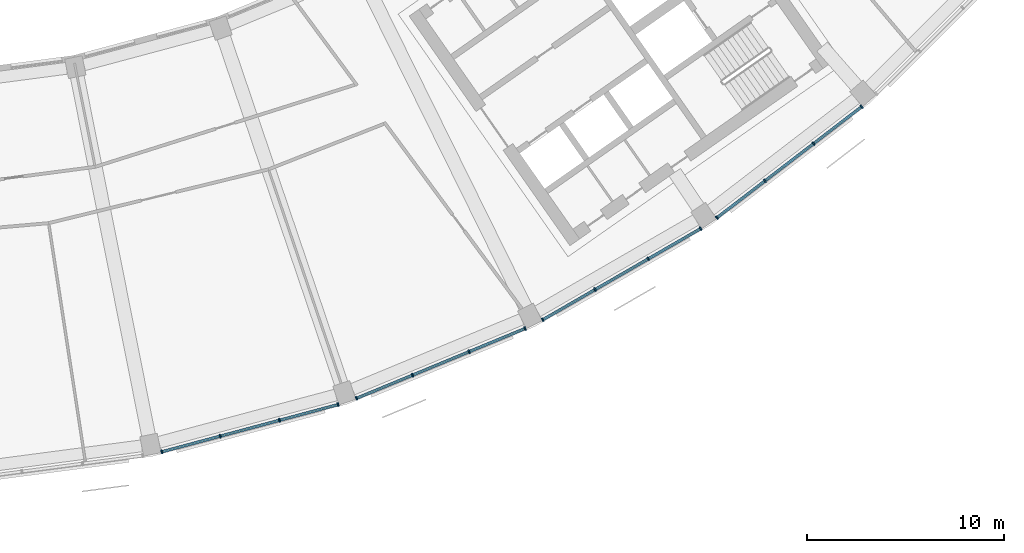
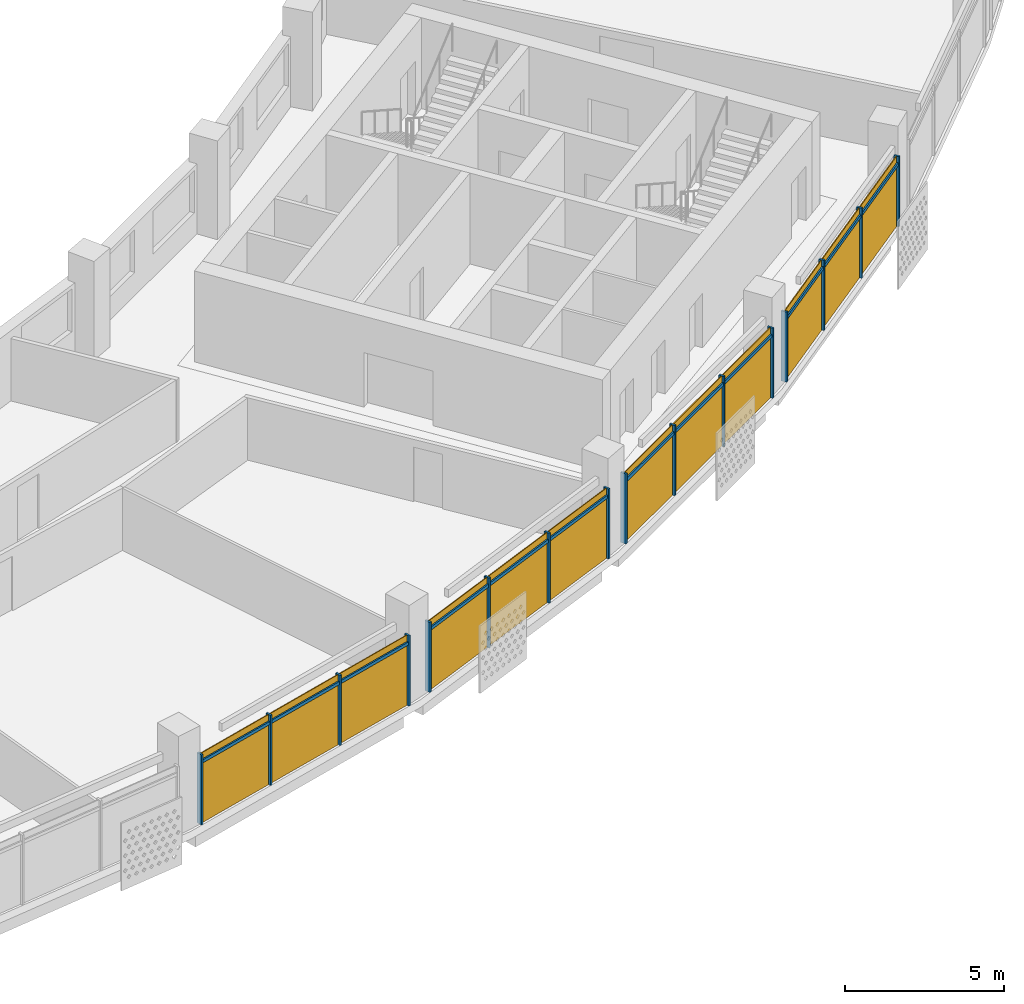
# One storey, part 21 of 28: 28 members, 4 curtain walls.
"""IFC4 building model written with IfcOpenShell, lengths in metres."""

import ifcopenshell
import ifcopenshell.guid

model = None  # the IFC model being written
_history = None  # IfcOwnerHistory: only IFC2X3 demands one
_inside = {}  # id of a spatial element -> (the spatial element, [elements in it])
_under = {}  # id of a project, library or spatial element -> (it, [spatial elements below it])
_declared = {}  # id of a project -> (the project, [libraries it declares])
_typed = {}  # id of a type object -> (the type object, [elements of that type])
_made_of = {}  # id of a material, layer set ... -> (it, [elements and type objects made of it])


def new_model(schema):
    """Start an empty IFC model of exactly this schema.

    Asked for "IFC4X3", IfcOpenShell would pick the latest addendum, in which some entities
    have other attributes; the version numbers below select the first issue.
    IFC2X3 requires an IfcOwnerHistory on every rooted entity: one is made here for all.
    """
    global model, _history
    if schema == "IFC4X3":
        model = ifcopenshell.file(schema_version=(4, 3, 0, 0))
    else:
        model = ifcopenshell.file(schema=schema)
    _inside.clear()
    _under.clear()
    _declared.clear()
    _typed.clear()
    _made_of.clear()
    _history = None
    if model.schema == "IFC2X3":
        org = make("IfcOrganization", Name="unknown")
        user = make(
            "IfcPersonAndOrganization",
            ThePerson=make("IfcPerson", FamilyName="unknown"),
            TheOrganization=org,
        )
        app = make(
            "IfcApplication",
            ApplicationDeveloper=org,
            Version="unknown",
            ApplicationFullName="unknown",
            ApplicationIdentifier="unknown",
        )
        _history = make(
            "IfcOwnerHistory",
            OwningUser=user,
            OwningApplication=app,
            ChangeAction="ADDED",
            CreationDate=0,
        )
    return model


def make(cls, **values):
    """One entity of the class cls with the attributes given. An attribute that is None is left unset."""
    return model.create_entity(
        cls, **{name: value for name, value in values.items() if value is not None}
    )


def rooted(cls, **values):
    """An entity with a GlobalId (a new one), such as an element, a storey or a relation."""
    return make(cls, GlobalId=ifcopenshell.guid.new(), OwnerHistory=_history, **values)


def si_unit(unit_type, name, prefix=None):
    """IfcSIUnit, for example si_unit("LENGTHUNIT", "METRE", prefix="MILLI")."""
    return make("IfcSIUnit", UnitType=unit_type, Prefix=prefix, Name=name)


def assignment(units):
    """IfcUnitAssignment: the units of a project."""
    return None if units is None else make("IfcUnitAssignment", Units=units)


def point(xyz):
    """IfcCartesianPoint."""
    return None if xyz is None else make("IfcCartesianPoint", Coordinates=xyz)


def direction(xyz):
    """IfcDirection."""
    return None if xyz is None else make("IfcDirection", DirectionRatios=xyz)


def frame(location, z_axis=None, x_axis=None):
    """IfcAxis2Placement3D, a coordinate frame: its origin and axes. An axis left out is left unset."""
    return make(
        "IfcAxis2Placement3D",
        Location=point(location),
        Axis=direction(z_axis),
        RefDirection=direction(x_axis),
    )


def frame_2d(location, x_axis=None):
    """IfcAxis2Placement2D, a coordinate frame in the plane: its origin and x axis."""
    return make(
        "IfcAxis2Placement2D", Location=point(location), RefDirection=direction(x_axis)
    )


def origin():
    """The frame at (0, 0, 0) with its axes left unset."""
    return frame((0.0, 0.0, 0.0))


def origin_2d():
    """The frame at (0, 0) in the plane with its x axis left unset."""
    return frame_2d((0.0, 0.0))


def place(relative_to, where):
    """IfcLocalPlacement: puts the frame where relative to a parent placement (None: the world)."""
    return make(
        "IfcLocalPlacement", PlacementRelTo=relative_to, RelativePlacement=where
    )


def context(
    kind, dimensions, precision=None, world=None, true_north=None, identifier=None
):
    """IfcGeometricRepresentationContext, for example the 3D "Model" context."""
    return make(
        "IfcGeometricRepresentationContext",
        ContextIdentifier=identifier,
        ContextType=kind,
        CoordinateSpaceDimension=dimensions,
        Precision=precision,
        WorldCoordinateSystem=world,
        TrueNorth=true_north,
    )


def subcontext(parent, identifier, kind, view, scale=None):
    """IfcGeometricRepresentationSubContext, for example "Body" below "Model"."""
    return make(
        "IfcGeometricRepresentationSubContext",
        ContextIdentifier=identifier,
        ContextType=kind,
        ParentContext=parent,
        TargetScale=scale,
        TargetView=view,
    )


def project(units=None, contexts=None):
    """IfcProject with its units and contexts."""
    return rooted(
        "IfcProject",
        Name="project",
        RepresentationContexts=contexts,
        UnitsInContext=assignment(units),
    )


def spatial(cls, under=None, at=None, **own):
    """A site, building, storey or space (cls), placed at a placement, below another one or the project."""
    s = rooted(cls, ObjectPlacement=at, **own)
    if under is not None:
        _under.setdefault(under.id(), (under, []))[1].append(s)
    return s


def profile(cls, at=None, kind="AREA", **sizes):
    """A parametric profile (cls). Its sizes go by their IFC names, for example OverallWidth=200.0."""
    return make(cls, ProfileType=kind, Position=at, **sizes)


def rectangle(**sizes):
    """IfcRectangleProfileDef."""
    return profile("IfcRectangleProfileDef", **sizes)


def extrude(swept, where, along, depth):
    """IfcExtrudedAreaSolid: the profile swept, set in the frame where, extruded along a direction by depth."""
    return make(
        "IfcExtrudedAreaSolid",
        SweptArea=swept,
        Position=where,
        ExtrudedDirection=direction(along),
        Depth=depth,
    )


def shape(context_of_items, identifier, shape_type, items):
    """IfcShapeRepresentation: the items that make up one representation, for example the "Body"."""
    return make(
        "IfcShapeRepresentation",
        ContextOfItems=context_of_items,
        RepresentationIdentifier=identifier,
        RepresentationType=shape_type,
        Items=items,
    )


def material(Name=None, Category=None):
    """IfcMaterial."""
    return make("IfcMaterial", Name=Name, Category=Category)


def material_profile(
    of_material, cross_section, Name=None, Category=None, Priority=None
):
    """IfcMaterialProfile: a cross section and its material."""
    return make(
        "IfcMaterialProfile",
        Name=Name,
        Material=of_material,
        Profile=cross_section,
        Priority=Priority,
        Category=Category,
    )


def profile_set(profiles, Name=None, composite=None):
    """IfcMaterialProfileSet."""
    return make(
        "IfcMaterialProfileSet",
        Name=Name,
        MaterialProfiles=profiles,
        CompositeProfile=composite,
    )


def made_of(thing, what):
    """Note that an element or type object is made of a material, layer set ...; save() writes the relation."""
    if what is not None:
        _made_of.setdefault(what.id(), (what, []))[1].append(thing)
    return thing


def type_object(cls, material=None, **own):
    """A type object (cls), such as IfcWallType, which elements share."""
    return made_of(rooted(cls, **own), material)


def element(
    cls,
    number,
    at=None,
    inside=None,
    cuts=None,
    type_object=None,
    material=None,
    context=None,
    identifier="Body",
    shape_type=None,
    held_by="IfcProductDefinitionShape",
    body=None,
    shapes=None,
    **own,
):
    """One element of the class cls, such as IfcWall. Its Tag is "e" and its number.

    at: its placement. inside: the storey or other place that contains it. cuts: it is an
    opening in that element (IfcRelVoidsElement). A single representation is given by context,
    identifier, shape_type and body (its items); several are given by shapes. held_by: the class
    of the entity that holds the representations. save() writes the other relations.
    """
    e = rooted(cls, Tag="e%d" % number, ObjectPlacement=at, **own)
    if body is not None:
        shapes = [shape(context, identifier, shape_type, body)]
    if shapes is not None:
        e.Representation = make(held_by, Representations=shapes)
    if inside is not None:
        _inside.setdefault(inside.id(), (inside, []))[1].append(e)
    if cuts is not None:
        rooted(
            "IfcRelVoidsElement", RelatingBuildingElement=cuts, RelatedOpeningElement=e
        )
    if type_object is not None:
        _typed.setdefault(type_object.id(), (type_object, []))[1].append(e)
    return made_of(e, material)


def aggregate(whole, parts):
    """IfcRelAggregates: a whole, such as a stair, and the parts it consists of."""
    return rooted("IfcRelAggregates", RelatingObject=whole, RelatedObjects=parts)


def save(model, path):
    """Write the relations noted so far, then the file.

    IfcRelAggregates (storeys below a building ...), IfcRelContainedInSpatialStructure (elements
    in a storey), IfcRelDefinesByType, IfcRelAssociatesMaterial and IfcRelDeclares: one each for
    every whole, place, type object, material and project.
    """
    for whole, parts in _under.values():
        aggregate(whole, parts)
    for where, things in _inside.values():
        rooted(
            "IfcRelContainedInSpatialStructure",
            RelatedElements=things,
            RelatingStructure=where,
        )
    for kind, things in _typed.values():
        rooted("IfcRelDefinesByType", RelatedObjects=things, RelatingType=kind)
    for what, things in _made_of.values():
        rooted("IfcRelAssociatesMaterial", RelatedObjects=things, RelatingMaterial=what)
    for by, libraries in _declared.values():
        rooted("IfcRelDeclares", RelatingContext=by, RelatedDefinitions=libraries)
    model.write(path)


model = new_model("IFC4")

# Units and contexts
model_context = context("Model", 3, precision=1e-05, world=origin(), true_north=direction((0.0, 1.0)))
body_context = subcontext(model_context, "Body", "Model", "MODEL_VIEW")
ifc_project = project(units=[si_unit("LENGTHUNIT", "METRE"), si_unit("AREAUNIT", "SQUARE_METRE"), si_unit("VOLUMEUNIT", "CUBIC_METRE"), si_unit("PLANEANGLEUNIT", "RADIAN"), si_unit("MASSUNIT", "GRAM", prefix="KILO")], contexts=[model_context])

# Member
ifc_material = material(Name="Aluminium 6063-T6 anodised", Category="aluminium")
ifc_material_profile_1 = material_profile(ifc_material, rectangle(XDim=0.199951171875, YDim=0.070068359375, at=origin_2d()))
ifc_profile_set_1 = profile_set([ifc_material_profile_1], Name="Aluminium 6063-T6 anodised")
member_type_1 = type_object("IfcMemberType", Name="Mullion 70 x 200 aluminium", PredefinedType="MULLION", material=ifc_profile_set_1)
site_placement = place(None, origin())
building_placement = place(site_placement, origin())
storey_placement = place(building_placement, frame((0.0, 0.0, 277.10009765625)))
member_1_placement = place(storey_placement, frame((15.742431640625, -76.618408203125, 0.0), z_axis=(0.0, 0.0, 1.0), x_axis=(-0.258819045103, 0.965925826289, 0.0)))
member_1 = element("IfcMember", 1, at=member_1_placement, type_object=member_type_1, Name="e-cw1-L67-out09/M00", PredefinedType="MULLION", context=body_context, shape_type="SweptSolid", body=[
    extrude(rectangle(XDim=0.199951171875, YDim=0.070068359375, at=origin_2d()), origin(), (0.0, 0.0, 1.0), 2.699951171875),
])

member_2_placement = place(storey_placement, frame((18.708984375, -75.82373046875, 0.0), z_axis=(0.0, 0.0, 1.0), x_axis=(-0.258819045103, 0.965925826289, 0.0)))
member_2 = element("IfcMember", 2, at=member_2_placement, type_object=member_type_1, Name="e-cw1-L67-out09/M01", PredefinedType="MULLION", context=body_context, shape_type="SweptSolid", body=[
    extrude(rectangle(XDim=0.199951171875, YDim=0.070068359375, at=origin_2d()), origin(), (0.0, 0.0, 1.0), 2.699951171875),
])

member_3_placement = place(storey_placement, frame((21.70947265625, -75.019775390625, 0.0), z_axis=(0.0, 0.0, 1.0), x_axis=(-0.258819045103, 0.965925826289, 0.0)))
member_3 = element("IfcMember", 3, at=member_3_placement, type_object=member_type_1, Name="e-cw1-L67-out09/M02", PredefinedType="MULLION", context=body_context, shape_type="SweptSolid", body=[
    extrude(rectangle(XDim=0.199951171875, YDim=0.070068359375, at=origin_2d()), origin(), (0.0, 0.0, 1.0), 2.699951171875),
])

member_4_placement = place(storey_placement, frame((24.676025390625, -74.224853515625, 0.0), z_axis=(0.0, 0.0, 1.0), x_axis=(-0.258819045103, 0.965925826289, 0.0)))
member_4 = element("IfcMember", 4, at=member_4_placement, type_object=member_type_1, Name="e-cw1-L67-out09/M03", PredefinedType="MULLION", context=body_context, shape_type="SweptSolid", body=[
    extrude(rectangle(XDim=0.199951171875, YDim=0.070068359375, at=origin_2d()), origin(), (0.0, 0.0, 1.0), 2.699951171875),
])

member_5_placement = place(storey_placement, frame((25.6083984375, -73.908203125, 0.0), z_axis=(0.0, 0.0, 1.0), x_axis=(-0.382683432365, 0.923879532511, 0.0)))
member_5 = element("IfcMember", 5, at=member_5_placement, type_object=member_type_1, Name="e-cw1-L67-out10/M00", PredefinedType="MULLION", context=body_context, shape_type="SweptSolid", body=[
    extrude(rectangle(XDim=0.199951171875, YDim=0.070068359375, at=origin_2d()), origin(), (0.0, 0.0, 1.0), 2.699951171875),
])

member_6_placement = place(storey_placement, frame((28.44580078125, -72.73291015625, 0.0), z_axis=(0.0, 0.0, 1.0), x_axis=(-0.382683432365, 0.923879532511, 0.0)))
member_6 = element("IfcMember", 6, at=member_6_placement, type_object=member_type_1, Name="e-cw1-L67-out10/M01", PredefinedType="MULLION", context=body_context, shape_type="SweptSolid", body=[
    extrude(rectangle(XDim=0.199951171875, YDim=0.070068359375, at=origin_2d()), origin(), (0.0, 0.0, 1.0), 2.699951171875),
])

member_7_placement = place(storey_placement, frame((31.315673828125, -71.544189453125, 0.0), z_axis=(0.0, 0.0, 1.0), x_axis=(-0.382683432365, 0.923879532511, 0.0)))
member_7 = element("IfcMember", 7, at=member_7_placement, type_object=member_type_1, Name="e-cw1-L67-out10/M02", PredefinedType="MULLION", context=body_context, shape_type="SweptSolid", body=[
    extrude(rectangle(XDim=0.199951171875, YDim=0.070068359375, at=origin_2d()), origin(), (0.0, 0.0, 1.0), 2.699951171875),
])

member_8_placement = place(storey_placement, frame((34.153076171875, -70.368896484375, 0.0), z_axis=(0.0, 0.0, 1.0), x_axis=(-0.382683432365, 0.923879532511, 0.0)))
member_8 = element("IfcMember", 8, at=member_8_placement, type_object=member_type_1, Name="e-cw1-L67-out10/M03", PredefinedType="MULLION", context=body_context, shape_type="SweptSolid", body=[
    extrude(rectangle(XDim=0.199951171875, YDim=0.070068359375, at=origin_2d()), origin(), (0.0, 0.0, 1.0), 2.699951171875),
])

member_9_placement = place(storey_placement, frame((35.036376953125, -69.933349609375, 0.0), z_axis=(0.0, 0.0, 1.0), x_axis=(-0.5, 0.866025403784, 0.0)))
member_9 = element("IfcMember", 9, at=member_9_placement, type_object=member_type_1, Name="e-cw1-L67-out11/M00", PredefinedType="MULLION", context=body_context, shape_type="SweptSolid", body=[
    extrude(rectangle(XDim=0.199951171875, YDim=0.070068359375, at=origin_2d()), origin(), (0.0, 0.0, 1.0), 2.699951171875),
])

member_10_placement = place(storey_placement, frame((37.696044921875, -68.397705078125, 0.0), z_axis=(0.0, 0.0, 1.0), x_axis=(-0.5, 0.866025403784, 0.0)))
member_10 = element("IfcMember", 10, at=member_10_placement, type_object=member_type_1, Name="e-cw1-L67-out11/M01", PredefinedType="MULLION", context=body_context, shape_type="SweptSolid", body=[
    extrude(rectangle(XDim=0.199951171875, YDim=0.070068359375, at=origin_2d()), origin(), (0.0, 0.0, 1.0), 2.699951171875),
])

member_11_placement = place(storey_placement, frame((40.38623046875, -66.8447265625, 0.0), z_axis=(0.0, 0.0, 1.0), x_axis=(-0.5, 0.866025403784, 0.0)))
member_11 = element("IfcMember", 11, at=member_11_placement, type_object=member_type_1, Name="e-cw1-L67-out11/M02", PredefinedType="MULLION", context=body_context, shape_type="SweptSolid", body=[
    extrude(rectangle(XDim=0.199951171875, YDim=0.070068359375, at=origin_2d()), origin(), (0.0, 0.0, 1.0), 2.699951171875),
])

member_12_placement = place(storey_placement, frame((43.0458984375, -65.30908203125, 0.0), z_axis=(0.0, 0.0, 1.0), x_axis=(-0.5, 0.866025403784, 0.0)))
member_12 = element("IfcMember", 12, at=member_12_placement, type_object=member_type_1, Name="e-cw1-L67-out11/M03", PredefinedType="MULLION", context=body_context, shape_type="SweptSolid", body=[
    extrude(rectangle(XDim=0.199951171875, YDim=0.070068359375, at=origin_2d()), origin(), (0.0, 0.0, 1.0), 2.699951171875),
])

member_13_placement = place(storey_placement, frame((43.86474609375, -64.761962890625, 0.0), z_axis=(0.0, 0.0, 1.0), x_axis=(-0.608761429009, 0.793353340291, 0.0)))
member_13 = element("IfcMember", 13, at=member_13_placement, type_object=member_type_1, Name="e-cw1-L67-out12/M00", PredefinedType="MULLION", context=body_context, shape_type="SweptSolid", body=[
    extrude(rectangle(XDim=0.199951171875, YDim=0.070068359375, at=origin_2d()), origin(), (0.0, 0.0, 1.0), 2.699951171875),
])

member_14_placement = place(storey_placement, frame((46.30126953125, -62.892333984375, 0.0), z_axis=(0.0, 0.0, 1.0), x_axis=(-0.608761429009, 0.793353340291, 0.0)))
member_14 = element("IfcMember", 14, at=member_14_placement, type_object=member_type_1, Name="e-cw1-L67-out12/M01", PredefinedType="MULLION", context=body_context, shape_type="SweptSolid", body=[
    extrude(rectangle(XDim=0.199951171875, YDim=0.070068359375, at=origin_2d()), origin(), (0.0, 0.0, 1.0), 2.699951171875),
])

member_15_placement = place(storey_placement, frame((48.765625, -61.001220703125, 0.0), z_axis=(0.0, 0.0, 1.0), x_axis=(-0.608761429009, 0.793353340291, 0.0)))
member_15 = element("IfcMember", 15, at=member_15_placement, type_object=member_type_1, Name="e-cw1-L67-out12/M02", PredefinedType="MULLION", context=body_context, shape_type="SweptSolid", body=[
    extrude(rectangle(XDim=0.199951171875, YDim=0.070068359375, at=origin_2d()), origin(), (0.0, 0.0, 1.0), 2.699951171875),
])

member_16_placement = place(storey_placement, frame((51.2021484375, -59.131591796875, 0.0), z_axis=(0.0, 0.0, 1.0), x_axis=(-0.608761429009, 0.793353340291, 0.0)))
member_16 = element("IfcMember", 16, at=member_16_placement, type_object=member_type_1, Name="e-cw1-L67-out12/M03", PredefinedType="MULLION", context=body_context, shape_type="SweptSolid", body=[
    extrude(rectangle(XDim=0.199951171875, YDim=0.070068359375, at=origin_2d()), origin(), (0.0, 0.0, 1.0), 2.699951171875),
])

ifc_material_profile_2 = material_profile(ifc_material, rectangle(XDim=0.139892578125, YDim=0.1201171875, at=origin_2d()))
ifc_profile_set_2 = profile_set([ifc_material_profile_2], Name="Aluminium 6063-T6 anodised")
member_type_2 = type_object("IfcMemberType", Name="Transom 120 x 140 aluminium", PredefinedType="USERDEFINED", material=ifc_profile_set_2)
member_17_placement = place(storey_placement, frame((15.776123046875, -76.609375, 2.39990234375), z_axis=(0.965944058071, 0.258750993577, 0.0), x_axis=(-0.258750993577, 0.965944058071, 0.0)))
member_17 = element("IfcMember", 17, at=member_17_placement, type_object=member_type_2, Name="e-cw1-L67-out09/T00", ObjectType="TRANSOM", PredefinedType="USERDEFINED", context=body_context, shape_type="SweptSolid", body=[
    extrude(rectangle(XDim=0.139892578125, YDim=0.1201171875, at=origin_2d()), origin(), (0.0, 0.0, 1.0), 3.00146484375),
])

member_18_placement = place(storey_placement, frame((18.74267578125, -75.814453125, 2.39990234375), z_axis=(0.965943386189, 0.258753501769, 0.0), x_axis=(-0.258753501769, 0.965943386189, 0.0)))
member_18 = element("IfcMember", 18, at=member_18_placement, type_object=member_type_2, Name="e-cw1-L67-out09/T01", ObjectType="TRANSOM", PredefinedType="USERDEFINED", context=body_context, shape_type="SweptSolid", body=[
    extrude(rectangle(XDim=0.139892578125, YDim=0.1201171875, at=origin_2d()), origin(), (0.0, 0.0, 1.0), 3.036376953125),
])

member_19_placement = place(storey_placement, frame((21.7431640625, -75.0107421875, 2.39990234375), z_axis=(0.965918275034, 0.258847225127, 0.0), x_axis=(-0.258847225127, 0.965918275034, 0.0)))
member_19 = element("IfcMember", 19, at=member_19_placement, type_object=member_type_2, Name="e-cw1-L67-out09/T02", ObjectType="TRANSOM", PredefinedType="USERDEFINED", context=body_context, shape_type="SweptSolid", body=[
    extrude(rectangle(XDim=0.139892578125, YDim=0.1201171875, at=origin_2d()), origin(), (0.0, 0.0, 1.0), 3.001220703125),
])

member_20_placement = place(storey_placement, frame((25.640869140625, -73.894775390625, 2.39990234375), z_axis=(0.923885958475, 0.382667918347, 0.0), x_axis=(-0.382667918347, 0.923885958475, 0.0)))
member_20 = element("IfcMember", 20, at=member_20_placement, type_object=member_type_2, Name="e-cw1-L67-out10/T00", ObjectType="TRANSOM", PredefinedType="USERDEFINED", context=body_context, shape_type="SweptSolid", body=[
    extrude(rectangle(XDim=0.139892578125, YDim=0.1201171875, at=origin_2d()), origin(), (0.0, 0.0, 1.0), 3.001220703125),
])

member_21_placement = place(storey_placement, frame((28.478271484375, -72.719482421875, 2.39990234375), z_axis=(0.923888454036, 0.38266189319, 0.0), x_axis=(-0.38266189319, 0.923888454036, 0.0)))
member_21 = element("IfcMember", 21, at=member_21_placement, type_object=member_type_2, Name="e-cw1-L67-out10/T01", ObjectType="TRANSOM", PredefinedType="USERDEFINED", context=body_context, shape_type="SweptSolid", body=[
    extrude(rectangle(XDim=0.139892578125, YDim=0.1201171875, at=origin_2d()), origin(), (0.0, 0.0, 1.0), 3.036376953125),
])

member_22_placement = place(storey_placement, frame((31.347900390625, -71.53076171875, 2.39990234375), z_axis=(0.923897869521, 0.382639159907, 0.0), x_axis=(-0.382639159907, 0.923897869521, 0.0)))
member_22 = element("IfcMember", 22, at=member_22_placement, type_object=member_type_2, Name="e-cw1-L67-out10/T02", ObjectType="TRANSOM", PredefinedType="USERDEFINED", context=body_context, shape_type="SweptSolid", body=[
    extrude(rectangle(XDim=0.139892578125, YDim=0.1201171875, at=origin_2d()), origin(), (0.0, 0.0, 1.0), 3.00146484375),
])

member_23_placement = place(storey_placement, frame((35.066650390625, -69.915771484375, 2.39990234375), z_axis=(0.866041993159, 0.49997126526, 0.0), x_axis=(-0.49997126526, 0.866041993159, 0.0)))
member_23 = element("IfcMember", 23, at=member_23_placement, type_object=member_type_2, Name="e-cw1-L67-out11/T00", ObjectType="TRANSOM", PredefinedType="USERDEFINED", context=body_context, shape_type="SweptSolid", body=[
    extrude(rectangle(XDim=0.139892578125, YDim=0.1201171875, at=origin_2d()), origin(), (0.0, 0.0, 1.0), 3.001220703125),
])

member_24_placement = place(storey_placement, frame((37.726318359375, -68.38037109375, 2.39990234375), z_axis=(0.866012861315, 0.500021723565, 0.0), x_axis=(-0.500021723565, 0.866012861315, 0.0)))
member_24 = element("IfcMember", 24, at=member_24_placement, type_object=member_type_2, Name="e-cw1-L67-out11/T01", ObjectType="TRANSOM", PredefinedType="USERDEFINED", context=body_context, shape_type="SweptSolid", body=[
    extrude(rectangle(XDim=0.139892578125, YDim=0.1201171875, at=origin_2d()), origin(), (0.0, 0.0, 1.0), 3.036376953125),
])

member_25_placement = place(storey_placement, frame((40.41650390625, -66.8271484375, 2.39990234375), z_axis=(0.866041993159, 0.49997126526, 0.0), x_axis=(-0.49997126526, 0.866041993159, 0.0)))
member_25 = element("IfcMember", 25, at=member_25_placement, type_object=member_type_2, Name="e-cw1-L67-out11/T02", ObjectType="TRANSOM", PredefinedType="USERDEFINED", context=body_context, shape_type="SweptSolid", body=[
    extrude(rectangle(XDim=0.139892578125, YDim=0.1201171875, at=origin_2d()), origin(), (0.0, 0.0, 1.0), 3.001220703125),
])

member_26_placement = place(storey_placement, frame((43.892578125, -64.74072265625, 2.39990234375), z_axis=(0.793312980955, 0.60881402271, 0.0), x_axis=(-0.60881402271, 0.793312980955, 0.0)))
member_26 = element("IfcMember", 26, at=member_26_placement, type_object=member_type_2, Name="e-cw1-L67-out12/T00", ObjectType="TRANSOM", PredefinedType="USERDEFINED", context=body_context, shape_type="SweptSolid", body=[
    extrude(rectangle(XDim=0.139892578125, YDim=0.1201171875, at=origin_2d()), origin(), (0.0, 0.0, 1.0), 3.001220703125),
])

member_27_placement = place(storey_placement, frame((46.3291015625, -62.87109375, 2.39990234375), z_axis=(0.79333190513, 0.608789362836, 0.0), x_axis=(-0.608789362836, 0.79333190513, 0.0)))
member_27 = element("IfcMember", 27, at=member_27_placement, type_object=member_type_2, Name="e-cw1-L67-out12/T01", ObjectType="TRANSOM", PredefinedType="USERDEFINED", context=body_context, shape_type="SweptSolid", body=[
    extrude(rectangle(XDim=0.139892578125, YDim=0.1201171875, at=origin_2d()), origin(), (0.0, 0.0, 1.0), 3.0361328125),
])

member_28_placement = place(storey_placement, frame((48.79345703125, -60.97998046875, 2.39990234375), z_axis=(0.793352271072, 0.60876282244, 0.0), x_axis=(-0.60876282244, 0.793352271072, 0.0)))
member_28 = element("IfcMember", 28, at=member_28_placement, type_object=member_type_2, Name="e-cw1-L67-out12/T02", ObjectType="TRANSOM", PredefinedType="USERDEFINED", context=body_context, shape_type="SweptSolid", body=[
    extrude(rectangle(XDim=0.139892578125, YDim=0.1201171875, at=origin_2d()), origin(), (0.0, 0.0, 1.0), 3.0009765625),
])

# Site, building, storey
site = spatial("IfcSite", under=ifc_project, at=site_placement, CompositionType="ELEMENT")
building = spatial("IfcBuilding", under=site, at=building_placement, Name="Qamariyya Broadcast Tower", CompositionType="ELEMENT")
storey = spatial("IfcBuildingStorey", under=building, at=storey_placement, Name="L67", CompositionType="ELEMENT", Elevation=277.10009765625)

# Curtain wall
curtain_wall_type = type_object("IfcCurtainWallType", Name="Unitised curtain wall, anodised aluminium", PredefinedType="NOTDEFINED", material=ifc_material)
curtain_wall_1_placement = place(storey_placement, origin())
curtain_wall_1 = element("IfcCurtainWall", 29, at=curtain_wall_1_placement, inside=storey, type_object=curtain_wall_type, Name="e-cw1-L67-out09", PredefinedType="NOTDEFINED", context=body_context, shape_type="SweptSolid", body=[
    extrude(rectangle(XDim=3.001220703125, YDim=0.031982421875, at=origin_2d()), frame((17.2255859375, -76.22119140625, 0.0), x_axis=(0.965925949265, 0.258818586151, 0.0)), (0.0, 0.0, 1.0), 2.340087890625),
    extrude(rectangle(XDim=3.001220703125, YDim=0.031982421875, at=origin_2d()), frame((17.2255859375, -76.22119140625, 2.4599609375), x_axis=(0.965925949265, 0.258818586151, 0.0)), (0.0, 0.0, 1.0), 0.239990234375),
    extrude(rectangle(XDim=3.0361328125, YDim=0.031982421875, at=origin_2d()), frame((20.208984375, -75.421875, 0.0), x_axis=(0.965925949265, 0.258818586151, 0.0)), (0.0, 0.0, 1.0), 2.340087890625),
    extrude(rectangle(XDim=3.0361328125, YDim=0.031982421875, at=origin_2d()), frame((20.208984375, -75.421875, 2.4599609375), x_axis=(0.965925949265, 0.258818586151, 0.0)), (0.0, 0.0, 1.0), 0.239990234375),
    extrude(rectangle(XDim=3.001220703125, YDim=0.031982421875, at=origin_2d()), frame((23.192626953125, -74.622314453125, 0.0), x_axis=(0.965925949265, 0.258818586151, 0.0)), (0.0, 0.0, 1.0), 2.340087890625),
    extrude(rectangle(XDim=3.001220703125, YDim=0.031982421875, at=origin_2d()), frame((23.192626953125, -74.622314453125, 2.4599609375), x_axis=(0.965925949265, 0.258818586151, 0.0)), (0.0, 0.0, 1.0), 0.239990234375),
])

aggregate(curtain_wall_1, [member_1, member_2, member_3, member_4, member_17, member_18, member_19])

curtain_wall_2_placement = place(storey_placement, origin())
curtain_wall_2 = element("IfcCurtainWall", 30, at=curtain_wall_2_placement, inside=storey, type_object=curtain_wall_type, Name="e-cw1-L67-out10", PredefinedType="NOTDEFINED", context=body_context, shape_type="SweptSolid", body=[
    extrude(rectangle(XDim=3.001220703125, YDim=0.031982421875, at=origin_2d()), frame((27.02734375, -73.320556640625, 0.0), x_axis=(0.923877930643, 0.382687299595, 0.0)), (0.0, 0.0, 1.0), 2.340087890625),
    extrude(rectangle(XDim=3.001220703125, YDim=0.031982421875, at=origin_2d()), frame((27.02734375, -73.320556640625, 2.4599609375), x_axis=(0.923877930643, 0.382687299595, 0.0)), (0.0, 0.0, 1.0), 0.239990234375),
    extrude(rectangle(XDim=3.0361328125, YDim=0.031982421875, at=origin_2d()), frame((29.880859375, -72.138671875, 0.0), x_axis=(0.923877930643, 0.382687299595, 0.0)), (0.0, 0.0, 1.0), 2.340087890625),
    extrude(rectangle(XDim=3.0361328125, YDim=0.031982421875, at=origin_2d()), frame((29.880859375, -72.138671875, 2.4599609375), x_axis=(0.923877930643, 0.382687299595, 0.0)), (0.0, 0.0, 1.0), 0.239990234375),
    extrude(rectangle(XDim=3.001220703125, YDim=0.031982421875, at=origin_2d()), frame((32.734375, -70.95654296875, 0.0), x_axis=(0.923877930643, 0.382687299595, 0.0)), (0.0, 0.0, 1.0), 2.340087890625),
    extrude(rectangle(XDim=3.001220703125, YDim=0.031982421875, at=origin_2d()), frame((32.734375, -70.95654296875, 2.4599609375), x_axis=(0.923877930643, 0.382687299595, 0.0)), (0.0, 0.0, 1.0), 0.239990234375),
])

aggregate(curtain_wall_2, [member_5, member_6, member_7, member_8, member_20, member_21, member_22])

curtain_wall_3_placement = place(storey_placement, origin())
curtain_wall_3 = element("IfcCurtainWall", 31, at=curtain_wall_3_placement, inside=storey, type_object=curtain_wall_type, Name="e-cw1-L67-out11", PredefinedType="NOTDEFINED", context=body_context, shape_type="SweptSolid", body=[
    extrude(rectangle(XDim=3.001220703125, YDim=0.031982421875, at=origin_2d()), frame((36.3662109375, -69.16552734375, 0.0), x_axis=(0.866017611601, 0.500013496215, 0.0)), (0.0, 0.0, 1.0), 2.340087890625),
    extrude(rectangle(XDim=3.001220703125, YDim=0.031982421875, at=origin_2d()), frame((36.3662109375, -69.16552734375, 2.4599609375), x_axis=(0.866017611601, 0.500013496215, 0.0)), (0.0, 0.0, 1.0), 0.239990234375),
    extrude(rectangle(XDim=3.0361328125, YDim=0.031982421875, at=origin_2d()), frame((39.041015625, -67.62109375, 0.0), x_axis=(0.866017611601, 0.500013496215, 0.0)), (0.0, 0.0, 1.0), 2.340087890625),
    extrude(rectangle(XDim=3.0361328125, YDim=0.031982421875, at=origin_2d()), frame((39.041015625, -67.62109375, 2.4599609375), x_axis=(0.866017611601, 0.500013496215, 0.0)), (0.0, 0.0, 1.0), 0.239990234375),
    extrude(rectangle(XDim=3.001220703125, YDim=0.031982421875, at=origin_2d()), frame((41.716064453125, -66.076904296875, 0.0), x_axis=(0.866017611601, 0.500013496215, 0.0)), (0.0, 0.0, 1.0), 2.340087890625),
    extrude(rectangle(XDim=3.001220703125, YDim=0.031982421875, at=origin_2d()), frame((41.716064453125, -66.076904296875, 2.4599609375), x_axis=(0.866017611601, 0.500013496215, 0.0)), (0.0, 0.0, 1.0), 0.239990234375),
])

aggregate(curtain_wall_3, [member_9, member_10, member_11, member_12, member_23, member_24, member_25])

curtain_wall_4_placement = place(storey_placement, origin())
curtain_wall_4 = element("IfcCurtainWall", 32, at=curtain_wall_4_placement, inside=storey, type_object=curtain_wall_type, Name="e-cw1-L67-out12", PredefinedType="NOTDEFINED", context=body_context, shape_type="SweptSolid", body=[
    extrude(rectangle(XDim=3.001220703125, YDim=0.031982421875, at=origin_2d()), frame((45.0830078125, -63.8271484375, 0.0), x_axis=(0.793355818396, 0.608758199466, 0.0)), (0.0, 0.0, 1.0), 2.340087890625),
    extrude(rectangle(XDim=3.001220703125, YDim=0.031982421875, at=origin_2d()), frame((45.0830078125, -63.8271484375, 2.4599609375), x_axis=(0.793355818396, 0.608758199466, 0.0)), (0.0, 0.0, 1.0), 0.239990234375),
    extrude(rectangle(XDim=3.0361328125, YDim=0.031982421875, at=origin_2d()), frame((47.533447265625, -61.94677734375, 0.0), x_axis=(0.793355818396, 0.608758199466, 0.0)), (0.0, 0.0, 1.0), 2.340087890625),
    extrude(rectangle(XDim=3.0361328125, YDim=0.031982421875, at=origin_2d()), frame((47.533447265625, -61.94677734375, 2.4599609375), x_axis=(0.793355818396, 0.608758199466, 0.0)), (0.0, 0.0, 1.0), 0.239990234375),
    extrude(rectangle(XDim=3.001220703125, YDim=0.031982421875, at=origin_2d()), frame((49.98388671875, -60.06640625, 0.0), x_axis=(0.793355818396, 0.608758199466, 0.0)), (0.0, 0.0, 1.0), 2.340087890625),
    extrude(rectangle(XDim=3.001220703125, YDim=0.031982421875, at=origin_2d()), frame((49.98388671875, -60.06640625, 2.4599609375), x_axis=(0.793355818396, 0.608758199466, 0.0)), (0.0, 0.0, 1.0), 0.239990234375),
])

aggregate(curtain_wall_4, [member_13, member_14, member_15, member_16, member_26, member_27, member_28])

save(model, "model.ifc")
